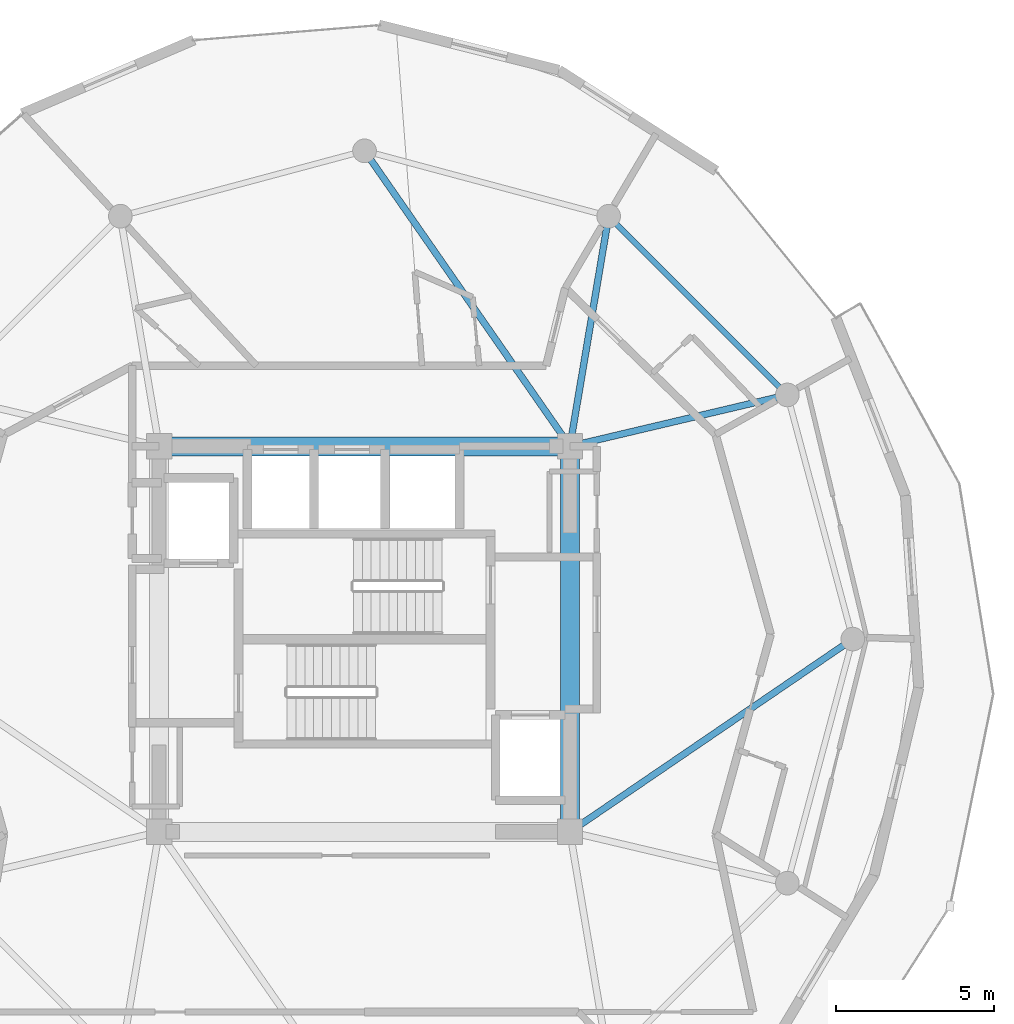
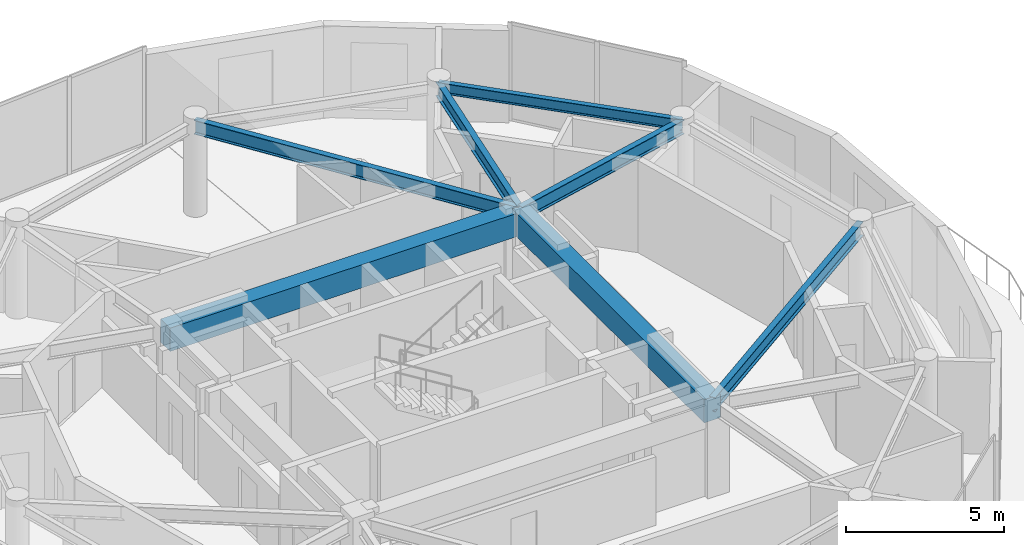
# One storey, part 10 of 22: 7 beams.
"""IFC4 building model written with IfcOpenShell, lengths in metres."""

from ifc_helpers import new_model, si_unit, direction, frame, origin, origin_2d, place, context, subcontext, project, spatial, rectangle, i_section, extrude, material, material_profile, profile_set, type_object, element, save


model = new_model("IFC4")

# Units and contexts
model_context = context("Model", 3, precision=1e-05, world=origin(), true_north=direction((0.0, 1.0)))
body_context = subcontext(model_context, "Body", "Model", "MODEL_VIEW")
ifc_project = project(units=[si_unit("LENGTHUNIT", "METRE"), si_unit("AREAUNIT", "SQUARE_METRE"), si_unit("VOLUMEUNIT", "CUBIC_METRE"), si_unit("PLANEANGLEUNIT", "RADIAN"), si_unit("MASSUNIT", "GRAM", prefix="KILO")], contexts=[model_context])

# Site, building, storey
site_placement = place(None, origin())
site = spatial("IfcSite", under=ifc_project, at=site_placement, CompositionType="ELEMENT")
building_placement = place(site_placement, origin())
building = spatial("IfcBuilding", under=site, at=building_placement, Name="Solvirekh Grand Hotel", CompositionType="ELEMENT")
storey_placement = place(building_placement, frame((0.0, 0.0, 293.39990234375)))
storey = spatial("IfcBuildingStorey", under=building, at=storey_placement, Name="L76", CompositionType="ELEMENT", Elevation=293.39990234375)

# Beams
ifc_material_1 = material(Name="Concrete C50/60", Category="concrete")
ifc_material_profile_1 = material_profile(ifc_material_1, rectangle(XDim=0.60009765625, YDim=0.89990234375, at=origin_2d()), Name="RC BEAM 600X900")
ifc_profile_set_1 = profile_set([ifc_material_profile_1], Name="Concrete C50/60")
beam_type_1 = type_object("IfcBeamType", Name="Beam_Core_RC900", PredefinedType="BEAM", material=ifc_profile_set_1)
beam_1_placement = place(storey_placement, frame((6.5, -6.10009765625, 3.1201171875), z_axis=(0.0, 1.0, 0.0), x_axis=(-1.0, 0.0, 0.0)))
element("IfcBeam", 1, at=beam_1_placement, inside=storey, type_object=beam_type_1, Name="L76 core coupling ring beam 2", PredefinedType="BEAM", context=body_context, shape_type="SweptSolid", body=[
    extrude(rectangle(XDim=0.60009765625, YDim=0.89990234375, at=origin_2d()), origin(), (0.0, 0.0, 1.0), 12.2001953125),
])
beam_2_placement = place(storey_placement, frame((6.5, 6.10009765625, 3.1201171875), z_axis=(-1.0, 0.0, 0.0), x_axis=(0.0, -1.0, 0.0)))
element("IfcBeam", 2, at=beam_2_placement, inside=storey, type_object=beam_type_1, Name="L76 core coupling ring beam 3", PredefinedType="BEAM", context=body_context, shape_type="SweptSolid", body=[
    extrude(rectangle(XDim=0.60009765625, YDim=0.89990234375, at=origin_2d()), origin(), (0.0, 0.0, 1.0), 13.0),
])
ifc_material_2 = material(Name="Steel S355", Category="steel")
ifc_material_profile_2 = material_profile(ifc_material_2, i_section(OverallWidth=0.2119140625, OverallDepth=0.5439453125, WebThickness=0.011962890625, FlangeThickness=0.01904296875, FilletRadius=0.013916015625, at=origin_2d()), Name="W530X123")
ifc_profile_set_2 = profile_set([ifc_material_profile_2], Name="Steel S355")
beam_type_2 = type_object("IfcBeamType", Name="Beam_Radial_W530H", PredefinedType="BEAM", material=ifc_profile_set_2)
beam_3_placement = place(storey_placement, frame((6.5, -6.10009765625, 3.298095703125), z_axis=(0.826319370306, 0.563201827285, 0.0), x_axis=(-0.563201827285, 0.826319370306, 0.0)))
element("IfcBeam", 3, at=beam_3_placement, inside=storey, type_object=beam_type_2, Name="L76 radial floor beam R01", PredefinedType="BEAM", context=body_context, shape_type="SweptSolid", body=[
    extrude(i_section(OverallWidth=0.2119140625, OverallDepth=0.5439453125, WebThickness=0.011962890625, FlangeThickness=0.01904296875, FilletRadius=0.013916015625, at=origin_2d()), origin(), (0.0, 0.0, 1.0), 10.8310546875),
])
beam_4_placement = place(storey_placement, frame((6.5, 6.10009765625, 3.298095703125), z_axis=(0.973221147544, 0.229870828888, 0.0), x_axis=(-0.229870828888, 0.973221147544, 0.0)))
element("IfcBeam", 4, at=beam_4_placement, inside=storey, type_object=beam_type_2, Name="L76 radial floor beam R02", PredefinedType="BEAM", context=body_context, shape_type="SweptSolid", body=[
    extrude(i_section(OverallWidth=0.2119140625, OverallDepth=0.5439453125, WebThickness=0.011962890625, FlangeThickness=0.01904296875, FilletRadius=0.013916015625, at=origin_2d()), origin(), (0.0, 0.0, 1.0), 7.069091796875),
])
beam_5_placement = place(storey_placement, frame((6.5, 6.10009765625, 3.298095703125), z_axis=(0.165954049106, 0.986133486697, 0.0), x_axis=(-0.986133486697, 0.165954049106, 0.0)))
element("IfcBeam", 5, at=beam_5_placement, inside=storey, type_object=beam_type_2, Name="L76 radial floor beam R03", PredefinedType="BEAM", context=body_context, shape_type="SweptSolid", body=[
    extrude(i_section(OverallWidth=0.2119140625, OverallDepth=0.5439453125, WebThickness=0.011962890625, FlangeThickness=0.01904296875, FilletRadius=0.013916015625, at=origin_2d()), origin(), (0.0, 0.0, 1.0), 7.382080078125),
])
beam_6_placement = place(storey_placement, frame((6.5, 6.10009765625, 3.298095703125), z_axis=(-0.570813192472, 0.821079959139, 0.0), x_axis=(-0.821079959139, -0.570813192472, 0.0)))
element("IfcBeam", 6, at=beam_6_placement, inside=storey, type_object=beam_type_2, Name="L76 radial floor beam R04", PredefinedType="BEAM", context=body_context, shape_type="SweptSolid", body=[
    extrude(i_section(OverallWidth=0.2119140625, OverallDepth=0.5439453125, WebThickness=0.011962890625, FlangeThickness=0.01904296875, FilletRadius=0.013916015625, at=origin_2d()), origin(), (0.0, 0.0, 1.0), 11.38720703125),
])
ifc_material_profile_3 = material_profile(ifc_material_2, i_section(OverallWidth=0.180908203125, OverallDepth=0.4169921875, WebThickness=0.010009765625, FlangeThickness=0.01611328125, FilletRadius=0.011962890625, at=origin_2d()), Name="W410X85")
ifc_profile_set_3 = profile_set([ifc_material_profile_3], Name="Steel S355")
beam_type_3 = type_object("IfcBeamType", Name="Spandrel_Ring_W410", PredefinedType="SPANDREL", material=ifc_profile_set_3)
beam_7_placement = place(storey_placement, frame((13.3798828125, 7.72509765625, 3.362060546875), z_axis=(-0.707106781187, 0.707106781187, 0.0), x_axis=(-0.707106781187, -0.707106781187, 0.0)))
element("IfcBeam", 7, at=beam_7_placement, inside=storey, type_object=beam_type_3, Name="L76 perimeter spandrel beam 2", PredefinedType="SPANDREL", context=body_context, shape_type="SweptSolid", body=[
    extrude(i_section(OverallWidth=0.180908203125, OverallDepth=0.4169921875, WebThickness=0.010009765625, FlangeThickness=0.01611328125, FilletRadius=0.011962890625, at=origin_2d()), origin(), (0.0, 0.0, 1.0), 7.9970703125),
])

save(model, "model.ifc")
